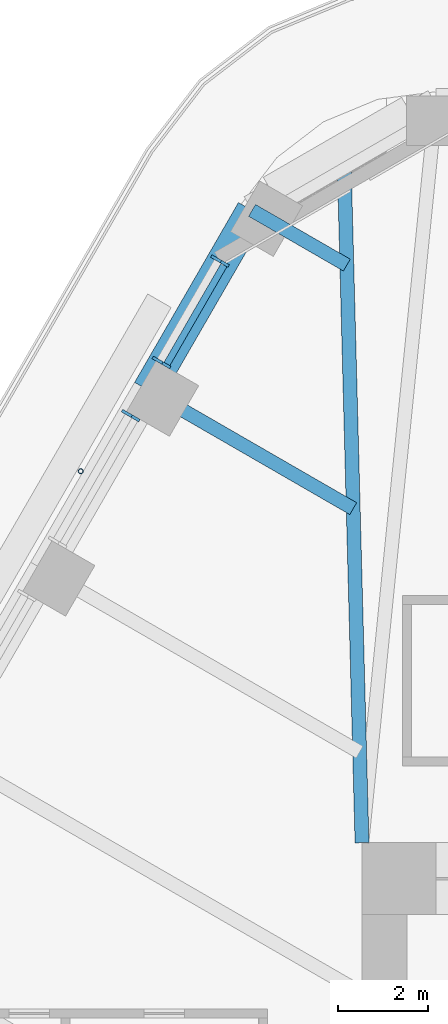
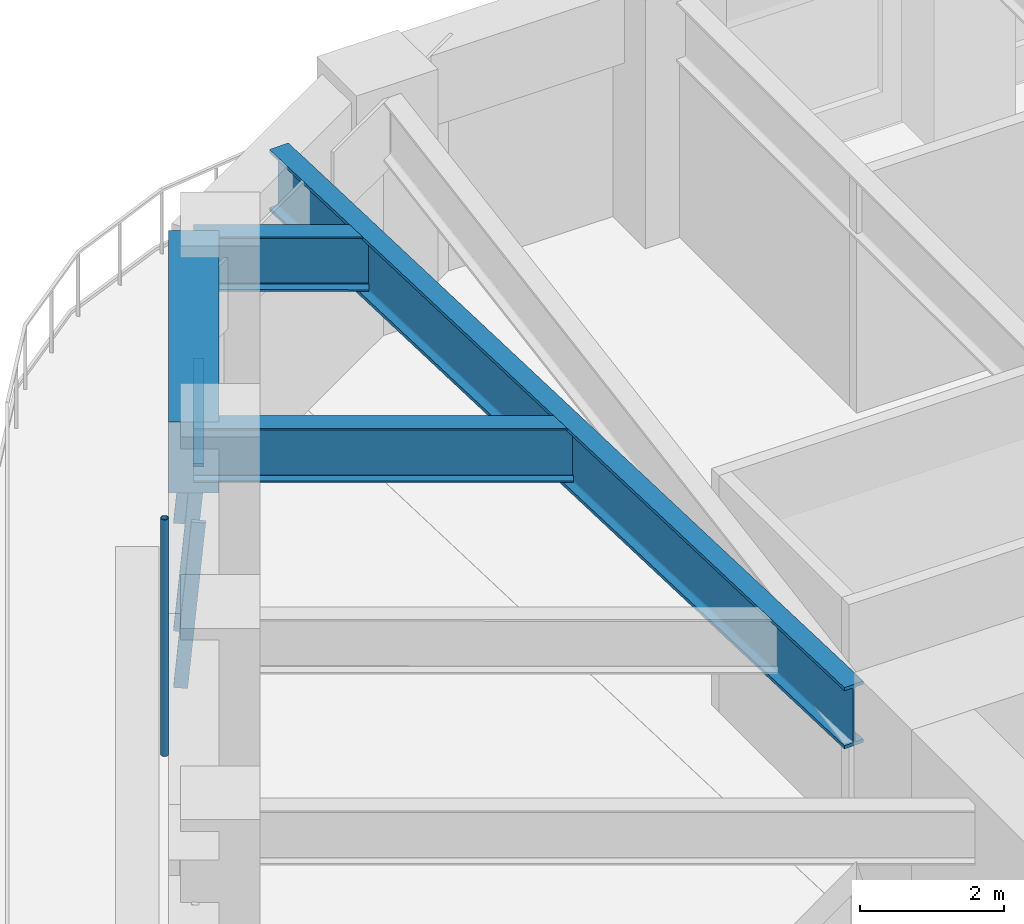
# One storey, part 8 of 20: 5 members, 4 beams, 2 elements without a shape of their own.
"""IFC4 building model written with IfcOpenShell, lengths in metres."""

from ifc_helpers import new_model, si_unit, direction, frame, origin, origin_2d, place, context, subcontext, project, spatial, rectangle, hollow_circle, i_section, extrude, material, material_profile, profile_set, type_object, element, aggregate, save


model = new_model("IFC4")

# Units and contexts
model_context = context("Model", 3, precision=1e-05, world=origin(), true_north=direction((0.0, 1.0)))
body_context = subcontext(model_context, "Body", "Model", "MODEL_VIEW")
ifc_project = project(units=[si_unit("LENGTHUNIT", "METRE"), si_unit("AREAUNIT", "SQUARE_METRE"), si_unit("VOLUMEUNIT", "CUBIC_METRE"), si_unit("PLANEANGLEUNIT", "RADIAN"), si_unit("MASSUNIT", "GRAM", prefix="KILO")], contexts=[model_context])

# Site, building, storey
site_placement = place(None, origin())
site = spatial("IfcSite", under=ifc_project, at=site_placement, CompositionType="ELEMENT")
building_placement = place(site_placement, origin())
building = spatial("IfcBuilding", under=site, at=building_placement, Name="Tarfa Lantern Tower", CompositionType="ELEMENT")
storey_placement = place(building_placement, frame((0.0, 0.0, 240.699951171875)))
storey = spatial("IfcBuildingStorey", under=building, at=storey_placement, Name="L54", CompositionType="ELEMENT", Elevation=240.699951171875)

# Curtain wall, members
ifc_material_1 = material(Name="Aluminium framed curtain wall", Category="aluminium")
curtain_wall_type = type_object("IfcCurtainWallType", Name="CW3 CANTED GLAZING HIGH ZONE 2800", PredefinedType="USERDEFINED", material=ifc_material_1)
curtain_wall_1_placement = place(storey_placement, origin())
curtain_wall_1 = element("IfcCurtainWall", 1, at=curtain_wall_1_placement, inside=storey, type_object=curtain_wall_type, Name="CW3 NW L54", ObjectType="CURTAIN WALL", PredefinedType="USERDEFINED")
ifc_material_2 = material(Name="Aluminium mullion", Category="aluminium")
ifc_material_profile_1 = material_profile(ifc_material_2, rectangle(XDim=0.06494140625, YDim=0.199951171875, at=origin_2d()), Name="AL MULLION 65x200")
ifc_profile_set_1 = profile_set([ifc_material_profile_1], Name="Aluminium mullion")
member_type_1 = type_object("IfcMemberType", Name="CWM1 MULLION 65x200", PredefinedType="MULLION", material=ifc_profile_set_1)
member_1_placement = place(storey_placement, frame((-18.76611328125, 25.296142578125, 0.0), z_axis=(0.077032386753, -0.044465143199, 0.996036576854), x_axis=(0.499919672301, 0.866071776036, 0.0)))
member_1 = element("IfcMember", 2, at=member_1_placement, type_object=member_type_1, Name="CW3 mullion 1", PredefinedType="MULLION", context=body_context, shape_type="SweptSolid", body=[
    extrude(rectangle(XDim=0.06494140625, YDim=0.199951171875, at=origin_2d()), origin(), (0.0, 0.0, 1.0), 2.811279296875),
])
member_2_placement = place(storey_placement, frame((-20.068115234375, 23.041015625, 0.0), z_axis=(0.077032386753, -0.044465143199, 0.996036576854), x_axis=(0.499919672301, 0.866071776036, 0.0)))
member_2 = element("IfcMember", 3, at=member_2_placement, type_object=member_type_1, Name="CW3 mullion 2", PredefinedType="MULLION", context=body_context, shape_type="SweptSolid", body=[
    extrude(rectangle(XDim=0.06494140625, YDim=0.199951171875, at=origin_2d()), origin(), (0.0, 0.0, 1.0), 2.811279296875),
])

# Curtain wall, member
curtain_wall_2_placement = place(storey_placement, origin())
curtain_wall_2 = element("IfcCurtainWall", 4, at=curtain_wall_2_placement, inside=storey, type_object=curtain_wall_type, Name="CW3 NW L54", ObjectType="CURTAIN WALL", PredefinedType="USERDEFINED")
member_3_placement = place(storey_placement, frame((-20.75048828125, 21.85888671875, 0.0), z_axis=(0.076946055247, -0.044465440504, 0.996043236603), x_axis=(0.500342721131, 0.865827443207, 0.0)))
member_3 = element("IfcMember", 5, at=member_3_placement, type_object=member_type_1, Name="CW3 mullion 1", PredefinedType="MULLION", context=body_context, shape_type="SweptSolid", body=[
    extrude(rectangle(XDim=0.06494140625, YDim=0.199951171875, at=origin_2d()), origin(), (0.0, 0.0, 1.0), 2.811279296875),
])
aggregate(curtain_wall_2, [member_3])

# Member
ifc_material_3 = material(Name="Aluminium transom", Category="aluminium")
ifc_material_profile_2 = material_profile(ifc_material_3, rectangle(XDim=0.14990234375, YDim=0.06494140625, at=origin_2d()), Name="AL TRANSOM 150x65")
ifc_profile_set_2 = profile_set([ifc_material_profile_2], Name="Aluminium transom")
member_type_2 = type_object("IfcMemberType", Name="CWT1 TRANSOM 150x65", PredefinedType="USERDEFINED", material=ifc_profile_set_2)
member_4_placement = place(storey_placement, frame((-18.568359375, 25.144287109375, 2.767578125), z_axis=(-0.500027655771, -0.866009436129, 0.0), x_axis=(0.866009436129, -0.500027655771, 0.0)))
member_4 = element("IfcMember", 6, at=member_4_placement, type_object=member_type_2, Name="CW3 transom 1.2", ObjectType="TRANSOM", PredefinedType="USERDEFINED", context=body_context, shape_type="SweptSolid", body=[
    extrude(rectangle(XDim=0.14990234375, YDim=0.06494140625, at=origin_2d()), origin(), (0.0, 0.0, 1.0), 2.538818359375),
])

aggregate(curtain_wall_1, [member_1, member_2, member_4])

# Beam
ifc_material_4 = material(Name="Concrete C80/95", Category="concrete")
ifc_material_profile_3 = material_profile(ifc_material_4, rectangle(XDim=0.699951171875, YDim=1.199951171875, at=origin_2d()), Name="RC 700x1200")
ifc_profile_set_3 = profile_set([ifc_material_profile_3], Name="Concrete C80/95")
beam_type_1 = type_object("IfcBeamType", Name="EB3 RC 700x1200", PredefinedType="SPANDREL", material=ifc_profile_set_3)
beam_1_placement = place(storey_placement, frame((-17.944091796875, 26.360107421875, 3.400146484375), z_axis=(-0.499987836815, -0.866032426089, 0.0), x_axis=(0.866032426089, -0.499987836815, 0.0)))
element("IfcBeam", 7, at=beam_1_placement, inside=storey, type_object=beam_type_1, Name="Edge beam NW0", PredefinedType="SPANDREL", context=body_context, shape_type="SweptSolid", body=[
    extrude(rectangle(XDim=0.699951171875, YDim=1.199951171875, at=origin_2d()), origin(), (0.0, 0.0, 1.0), 4.61865234375),
])

# Member
ifc_material_5 = material(Name="Steel S355", Category="steel")
ifc_material_profile_4 = material_profile(ifc_material_5, hollow_circle(Radius=0.05712890625, WallThickness=0.00634765625, at=origin_2d()), Name="CHS114.3x6.3")
ifc_profile_set_4 = profile_set([ifc_material_profile_4], Name="Steel S355")
member_type_3 = type_object("IfcMemberType", Name="TR1 GREEN WALL TRELLIS CHS114.3x6.3", PredefinedType="USERDEFINED", material=ifc_profile_set_4)
member_5_placement = place(storey_placement, frame((-21.754638671875, 20.56005859375, 0.0), z_axis=(0.0, 0.0, 1.0), x_axis=(1.0, 0.0, 0.0)))
element("IfcMember", 8, at=member_5_placement, inside=storey, type_object=member_type_3, Name="Trellis post NW 1", ObjectType="TRELLIS", PredefinedType="USERDEFINED", context=body_context, shape_type="SweptSolid", body=[
    extrude(hollow_circle(Radius=0.05712890625, WallThickness=0.00634765625, at=origin_2d()), origin(), (0.0, 0.0, 1.0), 4.0),
])

# Beams
ifc_material_6 = material(Name="Steel S460M", Category="steel")
ifc_material_profile_5 = material_profile(ifc_material_6, i_section(OverallWidth=0.30859375, OverallDepth=1.036376953125, WebThickness=0.030029296875, FlangeThickness=0.05419921875, FilletRadius=0.030029296875, at=origin_2d()), Name="UB1016x305x487")
ifc_profile_set_5 = profile_set([ifc_material_profile_5], Name="Steel S460M")
beam_type_2 = type_object("IfcBeamType", Name="UB1016x305x487", PredefinedType="BEAM", material=ifc_profile_set_5)
beam_2_placement = place(storey_placement, frame((-15.5, 12.300048828125, 3.48193359375), z_axis=(-0.026247301989, 0.999655480222, 0.0), x_axis=(-0.999655480222, -0.026247301989, 0.0)))
element("IfcBeam", 9, at=beam_2_placement, inside=storey, type_object=beam_type_2, Name="Hip girder NW", PredefinedType="BEAM", context=body_context, shape_type="SweptSolid", body=[
    extrude(i_section(OverallWidth=0.30859375, OverallDepth=1.036376953125, WebThickness=0.030029296875, FlangeThickness=0.05419921875, FilletRadius=0.030029296875, at=origin_2d()), origin(), (0.0, 0.0, 1.0), 15.245361328125),
])
ifc_material_profile_6 = material_profile(ifc_material_6, i_section(OverallWidth=0.305419921875, OverallDepth=0.91845703125, WebThickness=0.017333984375, FlangeThickness=0.02783203125, FilletRadius=0.01904296875, at=origin_2d()), Name="UB914x305x253")
ifc_profile_set_6 = profile_set([ifc_material_profile_6], Name="Steel S460M")
beam_type_3 = type_object("IfcBeamType", Name="UB914x305x253", PredefinedType="BEAM", material=ifc_profile_set_6)
beam_3_placement = place(storey_placement, frame((-17.944091796875, 26.360107421875, 3.540771484375), z_axis=(0.865980009423, -0.5000786171, 0.0), x_axis=(0.5000786171, 0.865980009423, 0.0)))
element("IfcBeam", 10, at=beam_3_placement, inside=storey, type_object=beam_type_3, Name="Floor beam NW0", PredefinedType="BEAM", context=body_context, shape_type="SweptSolid", body=[
    extrude(i_section(OverallWidth=0.305419921875, OverallDepth=0.91845703125, WebThickness=0.017333984375, FlangeThickness=0.02783203125, FilletRadius=0.01904296875, at=origin_2d()), origin(), (0.0, 0.0, 1.0), 2.4326171875),
])
beam_4_placement = place(storey_placement, frame((-20.25341796875, 22.360107421875, 3.540771484375), z_axis=(0.86601951648, -0.500010196972, 0.0), x_axis=(0.500010196972, 0.86601951648, 0.0)))
element("IfcBeam", 11, at=beam_4_placement, inside=storey, type_object=beam_type_3, Name="Floor beam NW1", PredefinedType="BEAM", context=body_context, shape_type="SweptSolid", body=[
    extrude(i_section(OverallWidth=0.305419921875, OverallDepth=0.91845703125, WebThickness=0.017333984375, FlangeThickness=0.02783203125, FilletRadius=0.01904296875, at=origin_2d()), origin(), (0.0, 0.0, 1.0), 5.263671875),
])

save(model, "model.ifc")
